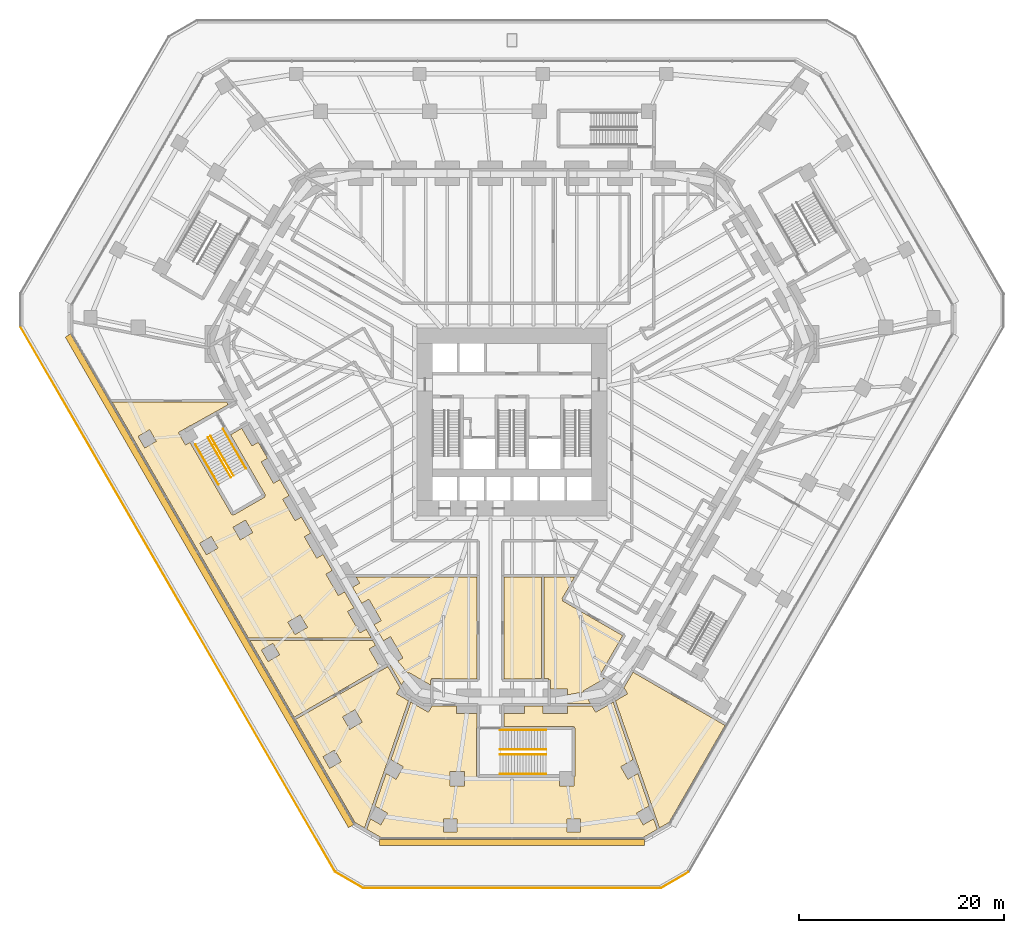
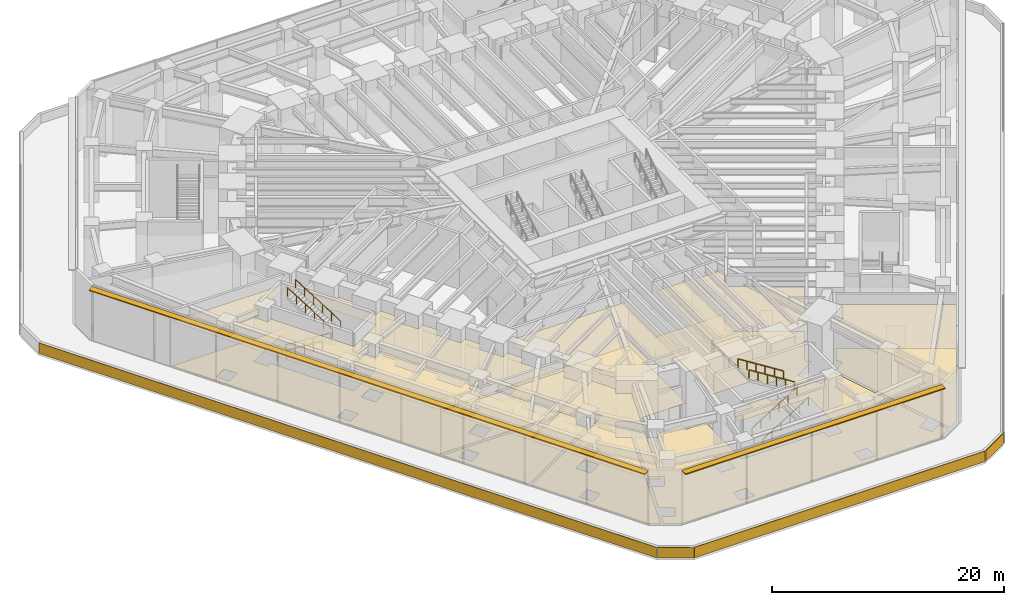
# One storey, part 22 of 25: 19 coverings, 8 railings, 2 shading devices.
"""IFC4 building model written with IfcOpenShell, lengths in metres."""

import ifcopenshell
import ifcopenshell.guid

model = None  # the IFC model being written
_history = None  # IfcOwnerHistory: only IFC2X3 demands one
_inside = {}  # id of a spatial element -> (the spatial element, [elements in it])
_under = {}  # id of a project, library or spatial element -> (it, [spatial elements below it])
_declared = {}  # id of a project -> (the project, [libraries it declares])
_typed = {}  # id of a type object -> (the type object, [elements of that type])
_made_of = {}  # id of a material, layer set ... -> (it, [elements and type objects made of it])


def new_model(schema):
    """Start an empty IFC model of exactly this schema.

    Asked for "IFC4X3", IfcOpenShell would pick the latest addendum, in which some entities
    have other attributes; the version numbers below select the first issue.
    IFC2X3 requires an IfcOwnerHistory on every rooted entity: one is made here for all.
    """
    global model, _history
    if schema == "IFC4X3":
        model = ifcopenshell.file(schema_version=(4, 3, 0, 0))
    else:
        model = ifcopenshell.file(schema=schema)
    _inside.clear()
    _under.clear()
    _declared.clear()
    _typed.clear()
    _made_of.clear()
    _history = None
    if model.schema == "IFC2X3":
        org = make("IfcOrganization", Name="unknown")
        user = make(
            "IfcPersonAndOrganization",
            ThePerson=make("IfcPerson", FamilyName="unknown"),
            TheOrganization=org,
        )
        app = make(
            "IfcApplication",
            ApplicationDeveloper=org,
            Version="unknown",
            ApplicationFullName="unknown",
            ApplicationIdentifier="unknown",
        )
        _history = make(
            "IfcOwnerHistory",
            OwningUser=user,
            OwningApplication=app,
            ChangeAction="ADDED",
            CreationDate=0,
        )
    return model


def make(cls, **values):
    """One entity of the class cls with the attributes given. An attribute that is None is left unset."""
    return model.create_entity(
        cls, **{name: value for name, value in values.items() if value is not None}
    )


def rooted(cls, **values):
    """An entity with a GlobalId (a new one), such as an element, a storey or a relation."""
    return make(cls, GlobalId=ifcopenshell.guid.new(), OwnerHistory=_history, **values)


def si_unit(unit_type, name, prefix=None):
    """IfcSIUnit, for example si_unit("LENGTHUNIT", "METRE", prefix="MILLI")."""
    return make("IfcSIUnit", UnitType=unit_type, Prefix=prefix, Name=name)


def assignment(units):
    """IfcUnitAssignment: the units of a project."""
    return None if units is None else make("IfcUnitAssignment", Units=units)


def point(xyz):
    """IfcCartesianPoint."""
    return None if xyz is None else make("IfcCartesianPoint", Coordinates=xyz)


def direction(xyz):
    """IfcDirection."""
    return None if xyz is None else make("IfcDirection", DirectionRatios=xyz)


def frame(location, z_axis=None, x_axis=None):
    """IfcAxis2Placement3D, a coordinate frame: its origin and axes. An axis left out is left unset."""
    return make(
        "IfcAxis2Placement3D",
        Location=point(location),
        Axis=direction(z_axis),
        RefDirection=direction(x_axis),
    )


def frame_2d(location, x_axis=None):
    """IfcAxis2Placement2D, a coordinate frame in the plane: its origin and x axis."""
    return make(
        "IfcAxis2Placement2D", Location=point(location), RefDirection=direction(x_axis)
    )


def origin():
    """The frame at (0, 0, 0) with its axes left unset."""
    return frame((0.0, 0.0, 0.0))


def origin_2d():
    """The frame at (0, 0) in the plane with its x axis left unset."""
    return frame_2d((0.0, 0.0))


def place(relative_to, where):
    """IfcLocalPlacement: puts the frame where relative to a parent placement (None: the world)."""
    return make(
        "IfcLocalPlacement", PlacementRelTo=relative_to, RelativePlacement=where
    )


def context(
    kind, dimensions, precision=None, world=None, true_north=None, identifier=None
):
    """IfcGeometricRepresentationContext, for example the 3D "Model" context."""
    return make(
        "IfcGeometricRepresentationContext",
        ContextIdentifier=identifier,
        ContextType=kind,
        CoordinateSpaceDimension=dimensions,
        Precision=precision,
        WorldCoordinateSystem=world,
        TrueNorth=true_north,
    )


def subcontext(parent, identifier, kind, view, scale=None):
    """IfcGeometricRepresentationSubContext, for example "Body" below "Model"."""
    return make(
        "IfcGeometricRepresentationSubContext",
        ContextIdentifier=identifier,
        ContextType=kind,
        ParentContext=parent,
        TargetScale=scale,
        TargetView=view,
    )


def project(units=None, contexts=None):
    """IfcProject with its units and contexts."""
    return rooted(
        "IfcProject",
        Name="project",
        RepresentationContexts=contexts,
        UnitsInContext=assignment(units),
    )


def spatial(cls, under=None, at=None, **own):
    """A site, building, storey or space (cls), placed at a placement, below another one or the project."""
    s = rooted(cls, ObjectPlacement=at, **own)
    if under is not None:
        _under.setdefault(under.id(), (under, []))[1].append(s)
    return s


def polyline(points):
    """IfcPolyline through the points."""
    return make("IfcPolyline", Points=[point(p) for p in points])


def profile(cls, at=None, kind="AREA", **sizes):
    """A parametric profile (cls). Its sizes go by their IFC names, for example OverallWidth=200.0."""
    return make(cls, ProfileType=kind, Position=at, **sizes)


def rectangle(**sizes):
    """IfcRectangleProfileDef."""
    return profile("IfcRectangleProfileDef", **sizes)


def circle(**sizes):
    """IfcCircleProfileDef."""
    return profile("IfcCircleProfileDef", **sizes)


def outline(outer, holes=None, kind="AREA"):
    """IfcArbitraryClosedProfileDef: a profile drawn as a closed curve; with holes, ...WithVoids."""
    if holes is None:
        return make("IfcArbitraryClosedProfileDef", ProfileType=kind, OuterCurve=outer)
    return make(
        "IfcArbitraryProfileDefWithVoids",
        ProfileType=kind,
        OuterCurve=outer,
        InnerCurves=holes,
    )


def extrude(swept, where, along, depth):
    """IfcExtrudedAreaSolid: the profile swept, set in the frame where, extruded along a direction by depth."""
    return make(
        "IfcExtrudedAreaSolid",
        SweptArea=swept,
        Position=where,
        ExtrudedDirection=direction(along),
        Depth=depth,
    )


def shape(context_of_items, identifier, shape_type, items):
    """IfcShapeRepresentation: the items that make up one representation, for example the "Body"."""
    return make(
        "IfcShapeRepresentation",
        ContextOfItems=context_of_items,
        RepresentationIdentifier=identifier,
        RepresentationType=shape_type,
        Items=items,
    )


def material(Name=None, Category=None):
    """IfcMaterial."""
    return make("IfcMaterial", Name=Name, Category=Category)


def layer(
    of_material, thickness, ventilated=None, Name=None, Category=None, Priority=None
):
    """IfcMaterialLayer: one layer of a wall or slab, of a material (None: an air gap)."""
    return make(
        "IfcMaterialLayer",
        Material=of_material,
        LayerThickness=thickness,
        IsVentilated=ventilated,
        Name=Name,
        Category=Category,
        Priority=Priority,
    )


def layer_set(layers, Name=None):
    """IfcMaterialLayerSet."""
    return make("IfcMaterialLayerSet", MaterialLayers=layers, LayerSetName=Name)


def made_of(thing, what):
    """Note that an element or type object is made of a material, layer set ...; save() writes the relation."""
    if what is not None:
        _made_of.setdefault(what.id(), (what, []))[1].append(thing)
    return thing


def type_object(cls, material=None, **own):
    """A type object (cls), such as IfcWallType, which elements share."""
    return made_of(rooted(cls, **own), material)


def element(
    cls,
    number,
    at=None,
    inside=None,
    cuts=None,
    type_object=None,
    material=None,
    context=None,
    identifier="Body",
    shape_type=None,
    held_by="IfcProductDefinitionShape",
    body=None,
    shapes=None,
    **own,
):
    """One element of the class cls, such as IfcWall. Its Tag is "e" and its number.

    at: its placement. inside: the storey or other place that contains it. cuts: it is an
    opening in that element (IfcRelVoidsElement). A single representation is given by context,
    identifier, shape_type and body (its items); several are given by shapes. held_by: the class
    of the entity that holds the representations. save() writes the other relations.
    """
    e = rooted(cls, Tag="e%d" % number, ObjectPlacement=at, **own)
    if body is not None:
        shapes = [shape(context, identifier, shape_type, body)]
    if shapes is not None:
        e.Representation = make(held_by, Representations=shapes)
    if inside is not None:
        _inside.setdefault(inside.id(), (inside, []))[1].append(e)
    if cuts is not None:
        rooted(
            "IfcRelVoidsElement", RelatingBuildingElement=cuts, RelatedOpeningElement=e
        )
    if type_object is not None:
        _typed.setdefault(type_object.id(), (type_object, []))[1].append(e)
    return made_of(e, material)


def aggregate(whole, parts):
    """IfcRelAggregates: a whole, such as a stair, and the parts it consists of."""
    return rooted("IfcRelAggregates", RelatingObject=whole, RelatedObjects=parts)


def save(model, path):
    """Write the relations noted so far, then the file.

    IfcRelAggregates (storeys below a building ...), IfcRelContainedInSpatialStructure (elements
    in a storey), IfcRelDefinesByType, IfcRelAssociatesMaterial and IfcRelDeclares: one each for
    every whole, place, type object, material and project.
    """
    for whole, parts in _under.values():
        aggregate(whole, parts)
    for where, things in _inside.values():
        rooted(
            "IfcRelContainedInSpatialStructure",
            RelatedElements=things,
            RelatingStructure=where,
        )
    for kind, things in _typed.values():
        rooted("IfcRelDefinesByType", RelatedObjects=things, RelatingType=kind)
    for what, things in _made_of.values():
        rooted("IfcRelAssociatesMaterial", RelatedObjects=things, RelatingMaterial=what)
    for by, libraries in _declared.values():
        rooted("IfcRelDeclares", RelatingContext=by, RelatedDefinitions=libraries)
    model.write(path)


model = new_model("IFC4")

# Units and contexts
model_context = context("Model", 3, precision=1e-05, world=origin(), true_north=direction((0.0, 1.0)))
body_context = subcontext(model_context, "Body", "Model", "MODEL_VIEW")
ifc_project = project(units=[si_unit("LENGTHUNIT", "METRE"), si_unit("AREAUNIT", "SQUARE_METRE"), si_unit("VOLUMEUNIT", "CUBIC_METRE"), si_unit("PLANEANGLEUNIT", "RADIAN"), si_unit("MASSUNIT", "GRAM", prefix="KILO")], contexts=[model_context])

# Site, building, storey
site_placement = place(None, origin())
site = spatial("IfcSite", under=ifc_project, at=site_placement, CompositionType="ELEMENT")
building_placement = place(site_placement, origin())
building = spatial("IfcBuilding", under=site, at=building_placement, Name="Sandreach Pilgrim Tower", CompositionType="ELEMENT")
storey_placement = place(building_placement, frame((0.0, 0.0, 6.0)))
storey = spatial("IfcBuildingStorey", under=building, at=storey_placement, Name="L01", CompositionType="ELEMENT", Elevation=6.0)

# Coverings
ifc_material_1 = material(Name="Nylon carpet tile on the slab", Category="textile")
ifc_layer_1 = layer(ifc_material_1, 0.008056640625)
ifc_layer_set_1 = layer_set([ifc_layer_1], Name="Carpet tile")
covering_type_1 = type_object("IfcCoveringType", Name="Carpet tile", PredefinedType="FLOORING", material=ifc_layer_set_1)
covering_1_placement = place(storey_placement, origin())
element("IfcCovering", 1, at=covering_1_placement, inside=storey, type_object=covering_type_1, Name="Floor finish 0105 Pilgrim guidance office", PredefinedType="FLOORING", context=body_context, shape_type="SweptSolid", body=[
    extrude(outline(polyline([(-27.666259765625, 0.141845703125), (-31.301025390625, -1.88671875), (-31.311279296875, -1.869140625), (-32.523681640625, -2.569091796875), (-31.82373046875, -3.781494140625), (-31.388671875, -3.530517578125), (-27.335205078125, -10.551513671875), (-27.29248046875, -10.52685546875), (-27.241943359375, -10.613037109375), (-27.1552734375, -10.56298828125), (-27.13037109375, -10.6064453125), (-24.09912109375, -8.8564453125), (-24.124267578125, -8.81298828125), (-24.03759765625, -8.76318359375), (-24.0869140625, -8.676025390625), (-24.044189453125, -8.6513671875), (-27.432861328125, -2.782470703125), (-26.340576171875, -2.154296875), (-25.3505859375, -3.868896484375), (-24.736083984375, -3.51416015625), (-23.8310546875, -5.081298828125), (-24.445556640625, -5.436279296875), (-23.24560546875, -7.5146484375), (-22.630615234375, -7.15966796875), (-21.725341796875, -8.726806640625), (-22.3408203125, -9.082275390625), (-21.140625, -11.16064453125), (-20.525146484375, -10.80517578125), (-19.619873046875, -12.37255859375), (-20.23583984375, -12.72802734375), (-19.03564453125, -14.806640625), (-18.41943359375, -14.45068359375), (-17.51416015625, -16.01806640625), (-18.130859375, -16.3740234375), (-16.930908203125, -18.452392578125), (-16.313232421875, -18.095947265625), (-15.407470703125, -19.662841796875), (-16.02587890625, -20.019775390625), (-14.825927734375, -22.098388671875), (-14.206298828125, -21.74072265625), (-13.706787109375, -22.60498046875), (-25.68701171875, -22.60498046875), (-38.966064453125, 0.39501953125), (-27.812255859375, 0.39501953125), (-27.666259765625, 0.141845703125)]), holes=[polyline([(-19.941650390625, -21.561767578125), (-20.6416015625, -20.349365234375), (-21.854248046875, -21.04931640625), (-21.154052734375, -22.26171875), (-19.941650390625, -21.561767578125)]), polyline([(-26.489013671875, -13.021728515625), (-25.2763671875, -12.321533203125), (-25.9765625, -11.109130859375), (-27.18896484375, -11.809326171875), (-26.489013671875, -13.021728515625)]), polyline([(-29.789306640625, -14.479736328125), (-28.66357421875, -13.829833984375), (-29.3134765625, -12.703857421875), (-30.439453125, -13.35400390625), (-29.789306640625, -14.479736328125)]), polyline([(-36.448974609375, -2.94482421875), (-35.799072265625, -4.07080078125), (-34.673095703125, -3.420654296875), (-35.3232421875, -2.294921875), (-36.448974609375, -2.94482421875)])]), origin(), (0.0, 0.0, 1.0), 0.008056640625),
])
covering_2_placement = place(storey_placement, origin())
element("IfcCovering", 2, at=covering_2_placement, inside=storey, type_object=covering_type_1, Name="Floor finish 01N1 Group leaders' office", PredefinedType="FLOORING", context=body_context, shape_type="SweptSolid", body=[
    extrude(outline(polyline([(-21.10791015625, -30.53662109375), (-12.099365234375, -25.385498046875), (-10.916259765625, -27.431884765625), (-11.26513671875, -28.0361328125), (-10.085205078125, -28.717529296875), (-12.449462890625, -35.552001953125), (-12.514404296875, -35.664306640625), (-12.49267578125, -35.6767578125), (-14.37451171875, -41.116455078125), (-15.311767578125, -40.575439453125), (-21.10791015625, -30.53662109375)]), holes=[polyline([(-15.8193359375, -31.501708984375), (-14.60693359375, -30.8017578125), (-15.306884765625, -29.58935546875), (-16.519287109375, -30.289306640625), (-15.8193359375, -31.501708984375)]), polyline([(-18.419921875, -34.172119140625), (-17.77001953125, -35.2978515625), (-16.64404296875, -34.64794921875), (-17.294189453125, -33.52197265625), (-18.419921875, -34.172119140625)])]), origin(), (0.0, 0.0, 1.0), 0.008056640625),
])
covering_3_placement = place(storey_placement, origin())
element("IfcCovering", 3, at=covering_3_placement, inside=storey, type_object=covering_type_1, Name="Floor finish 01N2 Guidance meeting room", PredefinedType="FLOORING", context=body_context, shape_type="SweptSolid", body=[
    extrude(outline(polyline([(-13.562255859375, -22.85498046875), (-13.301513671875, -23.30810546875), (-13.9208984375, -23.665771484375), (-12.867431640625, -25.490234375), (-21.23291015625, -30.320068359375), (-25.542724609375, -22.85498046875), (-13.562255859375, -22.85498046875)]), holes=[polyline([(-23.77978515625, -24.888916015625), (-22.65380859375, -24.23876953125), (-23.3037109375, -23.113037109375), (-24.4296875, -23.762939453125), (-23.77978515625, -24.888916015625)])]), origin(), (0.0, 0.0, 1.0), 0.008056640625),
])
covering_4_placement = place(storey_placement, origin())
element("IfcCovering", 4, at=covering_4_placement, inside=storey, type_object=covering_type_1, Name="Floor finish 01N5 Registration staff room", PredefinedType="FLOORING", context=body_context, shape_type="SweptSolid", body=[
    extrude(outline(polyline([(20.771728515625, -31.11865234375), (15.311767578125, -40.575439453125), (14.37451171875, -41.116455078125), (12.49267578125, -35.6767578125), (12.514404296875, -35.664306640625), (12.449462890625, -35.552001953125), (10.085205078125, -28.717529296875), (11.26513671875, -28.0361328125), (10.9169921875, -27.433349609375), (11.795166015625, -25.930419921875), (20.771728515625, -31.11865234375)])), origin(), (0.0, 0.0, 1.0), 0.008056640625),
])
ifc_material_2 = material(Name="Epoxy resin floor on the slab", Category="plastic")
ifc_layer_2 = layer(ifc_material_2, 0.00390625)
ifc_layer_set_2 = layer_set([ifc_layer_2], Name="Epoxy resin floor")
covering_type_2 = type_object("IfcCoveringType", Name="Epoxy resin floor", PredefinedType="FLOORING", material=ifc_layer_set_2)
covering_5_placement = place(storey_placement, origin())
element("IfcCovering", 5, at=covering_5_placement, inside=storey, type_object=covering_type_2, Name="Floor finish 0104 Shoe and coat store", PredefinedType="FLOORING", context=body_context, shape_type="SweptSolid", body=[
    extrude(outline(polyline([(-11.302001953125, -36.3642578125), (-10.601806640625, -35.15185546875), (-11.80615234375, -34.45654296875), (-9.86474609375, -28.8447265625), (-8.1474609375, -29.836181640625), (-7.80029296875, -29.235107421875), (-5.42236328125, -29.235107421875), (-5.42236328125, -29.950927734375), (-3.43505859375, -29.950927734375), (-3.4296875, -31.36083984375), (-3.461181640625, -31.36083984375), (-3.461181640625, -36.060791015625), (-3.41162109375, -36.060791015625), (-3.4111328125, -36.160888671875), (-3.311279296875, -36.16162109375), (-3.311279296875, -36.2109375), (4.63525390625, -36.2109375), (4.63525390625, -37.028564453125), (6.03515625, -37.028564453125), (6.03515625, -36.160888671875), (6.138916015625, -36.060791015625), (6.138916015625, -31.36083984375), (6.08984375, -31.36083984375), (6.0888671875, -31.260986328125), (5.98876953125, -31.26025390625), (5.98876953125, -31.2109375), (-0.784912109375, -31.2109375), (-0.784912109375, -29.950927734375), (1.199951171875, -29.950927734375), (1.199951171875, -29.235107421875), (3.022216796875, -29.235107421875), (3.022216796875, -29.950927734375), (5.42236328125, -29.950927734375), (5.42236328125, -29.235107421875), (7.80029296875, -29.235107421875), (8.1474609375, -29.836181640625), (9.86474609375, -28.8447265625), (11.80615234375, -34.45654296875), (10.601806640625, -35.15185546875), (11.302001953125, -36.3642578125), (12.272216796875, -35.803955078125), (13.3671875, -38.968994140625), (12.141357421875, -39.6767578125), (12.791259765625, -40.802490234375), (13.800048828125, -40.22021484375), (14.154052734375, -41.243896484375), (12.783447265625, -42.03515625), (-12.783447265625, -42.03515625), (-14.154052734375, -41.243896484375), (-13.800048828125, -40.22021484375), (-12.791259765625, -40.802490234375), (-12.141357421875, -39.6767578125), (-13.3671875, -38.968994140625), (-12.272216796875, -35.803955078125), (-11.302001953125, -36.3642578125)]), holes=[polyline([(6.65283203125, -41.525146484375), (6.65283203125, -40.225341796875), (5.352783203125, -40.225341796875), (5.352783203125, -41.525146484375), (6.65283203125, -41.525146484375)]), polyline([(-4.63525390625, -37.028564453125), (-4.63525390625, -35.628662109375), (-6.03515625, -35.628662109375), (-6.03515625, -37.028564453125), (-4.63525390625, -37.028564453125)]), polyline([(-5.352783203125, -41.525146484375), (-5.352783203125, -40.225341796875), (-6.65283203125, -40.225341796875), (-6.65283203125, -41.525146484375), (-5.352783203125, -41.525146484375)])]), origin(), (0.0, 0.0, 1.0), 0.00390625),
])
ifc_material_3 = material(Name="Gypsum board suspended ceiling on a steel grid", Category="steel")
ifc_layer_3 = layer(ifc_material_3, 0.012939453125)
ifc_layer_set_3 = layer_set([ifc_layer_3], Name="Gypsum board suspended ceiling")
covering_type_3 = type_object("IfcCoveringType", Name="Gypsum board suspended ceiling", PredefinedType="CEILING", material=ifc_layer_set_3)
covering_6_placement = place(storey_placement, frame((0.0, 0.0, 4.64990234375)))
element("IfcCovering", 6, at=covering_6_placement, inside=storey, type_object=covering_type_3, Name="Ceiling 0105 Pilgrim guidance office", PredefinedType="CEILING", context=body_context, shape_type="SweptSolid", body=[
    extrude(outline(polyline([(-27.666259765625, 0.141845703125), (-31.301025390625, -1.88671875), (-31.311279296875, -1.869140625), (-32.523681640625, -2.569091796875), (-31.82373046875, -3.781494140625), (-31.388671875, -3.530517578125), (-27.335205078125, -10.551513671875), (-27.29248046875, -10.52685546875), (-27.241943359375, -10.613037109375), (-27.1552734375, -10.56298828125), (-27.13037109375, -10.6064453125), (-24.09912109375, -8.8564453125), (-24.124267578125, -8.81298828125), (-24.03759765625, -8.76318359375), (-24.0869140625, -8.676025390625), (-24.044189453125, -8.6513671875), (-27.432861328125, -2.782470703125), (-26.340576171875, -2.154296875), (-25.3505859375, -3.868896484375), (-24.736083984375, -3.51416015625), (-23.8310546875, -5.081298828125), (-24.445556640625, -5.436279296875), (-23.24560546875, -7.5146484375), (-22.630615234375, -7.15966796875), (-21.725341796875, -8.726806640625), (-22.3408203125, -9.082275390625), (-21.140625, -11.16064453125), (-20.525146484375, -10.80517578125), (-19.619873046875, -12.37255859375), (-20.23583984375, -12.72802734375), (-19.03564453125, -14.806640625), (-18.41943359375, -14.45068359375), (-17.51416015625, -16.01806640625), (-18.130859375, -16.3740234375), (-16.930908203125, -18.452392578125), (-16.313232421875, -18.095947265625), (-15.407470703125, -19.662841796875), (-16.02587890625, -20.019775390625), (-14.825927734375, -22.098388671875), (-14.206298828125, -21.74072265625), (-13.706787109375, -22.60498046875), (-25.68701171875, -22.60498046875), (-38.966064453125, 0.39501953125), (-27.812255859375, 0.39501953125), (-27.666259765625, 0.141845703125)]), holes=[polyline([(-19.941650390625, -21.561767578125), (-20.6416015625, -20.349365234375), (-21.854248046875, -21.04931640625), (-21.154052734375, -22.26171875), (-19.941650390625, -21.561767578125)]), polyline([(-27.18896484375, -11.809326171875), (-26.489013671875, -13.021728515625), (-25.2763671875, -12.321533203125), (-25.9765625, -11.109130859375), (-27.18896484375, -11.809326171875)]), polyline([(-29.789306640625, -14.479736328125), (-28.66357421875, -13.829833984375), (-29.3134765625, -12.703857421875), (-30.439453125, -13.35400390625), (-29.789306640625, -14.479736328125)]), polyline([(-36.448974609375, -2.94482421875), (-35.799072265625, -4.07080078125), (-34.673095703125, -3.420654296875), (-35.3232421875, -2.294921875), (-36.448974609375, -2.94482421875)])]), origin(), (0.0, 0.0, 1.0), 0.01318359375),
])
covering_7_placement = place(storey_placement, frame((0.0, 0.0, 4.64990234375)))
element("IfcCovering", 7, at=covering_7_placement, inside=storey, type_object=covering_type_3, Name="Ceiling 01N1 Group leaders' office", PredefinedType="CEILING", context=body_context, shape_type="SweptSolid", body=[
    extrude(outline(polyline([(-21.10791015625, -30.53662109375), (-12.099365234375, -25.385498046875), (-10.916259765625, -27.431884765625), (-11.26513671875, -28.0361328125), (-10.085205078125, -28.717529296875), (-12.449462890625, -35.552001953125), (-12.514404296875, -35.664306640625), (-12.49267578125, -35.6767578125), (-14.37451171875, -41.116455078125), (-15.311767578125, -40.575439453125), (-21.10791015625, -30.53662109375)]), holes=[polyline([(-15.8193359375, -31.501708984375), (-14.60693359375, -30.8017578125), (-15.306884765625, -29.58935546875), (-16.519287109375, -30.289306640625), (-15.8193359375, -31.501708984375)]), polyline([(-18.419921875, -34.172119140625), (-17.77001953125, -35.2978515625), (-16.64404296875, -34.64794921875), (-17.294189453125, -33.52197265625), (-18.419921875, -34.172119140625)])]), origin(), (0.0, 0.0, 1.0), 0.01318359375),
])
covering_8_placement = place(storey_placement, frame((0.0, 0.0, 4.64990234375)))
element("IfcCovering", 8, at=covering_8_placement, inside=storey, type_object=covering_type_3, Name="Ceiling 01N2 Guidance meeting room", PredefinedType="CEILING", context=body_context, shape_type="SweptSolid", body=[
    extrude(outline(polyline([(-13.562255859375, -22.85498046875), (-13.301513671875, -23.30810546875), (-13.9208984375, -23.665771484375), (-12.867431640625, -25.490234375), (-21.23291015625, -30.320068359375), (-25.542724609375, -22.85498046875), (-13.562255859375, -22.85498046875)]), holes=[polyline([(-23.77978515625, -24.888916015625), (-22.65380859375, -24.23876953125), (-23.3037109375, -23.113037109375), (-24.4296875, -23.762939453125), (-23.77978515625, -24.888916015625)])]), origin(), (0.0, 0.0, 1.0), 0.01318359375),
])
covering_9_placement = place(storey_placement, frame((0.0, 0.0, 4.64990234375)))
element("IfcCovering", 9, at=covering_9_placement, inside=storey, type_object=covering_type_3, Name="Ceiling 01N5 Registration staff room", PredefinedType="CEILING", context=body_context, shape_type="SweptSolid", body=[
    extrude(outline(polyline([(11.26513671875, -28.0361328125), (10.9169921875, -27.433349609375), (11.795166015625, -25.930419921875), (20.771728515625, -31.11865234375), (15.311767578125, -40.575439453125), (14.37451171875, -41.116455078125), (12.49267578125, -35.6767578125), (12.514404296875, -35.664306640625), (12.449462890625, -35.552001953125), (10.085205078125, -28.717529296875), (11.26513671875, -28.0361328125)])), origin(), (0.0, 0.0, 1.0), 0.01318359375),
])
ifc_material_4 = material(Name="Moisture-resistant gypsum board suspended ceiling on a steel grid", Category="steel")
ifc_layer_4 = layer(ifc_material_4, 0.01611328125)
ifc_layer_set_4 = layer_set([ifc_layer_4], Name="Moisture-resistant gypsum board ceiling")
covering_type_4 = type_object("IfcCoveringType", Name="Moisture-resistant gypsum board ceiling", PredefinedType="CEILING", material=ifc_layer_set_4)
covering_10_placement = place(storey_placement, frame((0.0, 0.0, 4.699951171875)))
element("IfcCovering", 10, at=covering_10_placement, inside=storey, type_object=covering_type_4, Name="Ceiling 01T1 Women's toilets 01", PredefinedType="CEILING", context=body_context, shape_type="SweptSolid", body=[
    extrude(outline(polyline([(-10.642333984375, -24.544189453125), (-11.842529296875, -22.4658203125), (-12.53515625, -22.86572265625), (-13.440185546875, -21.29833984375), (-12.747314453125, -20.8984375), (-13.947265625, -18.81982421875), (-14.64013671875, -19.219970703125), (-15.545166015625, -17.65234375), (-14.852294921875, -17.25244140625), (-15.203125, -16.64501953125), (-3.43505859375, -16.64501953125), (-3.43505859375, -26.58447265625), (-7.829345703125, -26.56494140625), (-7.831298828125, -26.7099609375), (-7.955078125, -26.7099609375), (-7.955078125, -27.176025390625), (-10.065185546875, -25.957763671875), (-10.12353515625, -26.05908203125), (-11.147705078125, -24.8359375), (-10.642333984375, -24.544189453125)])), origin(), (0.0, 0.0, 1.0), 0.01611328125),
])
covering_11_placement = place(storey_placement, frame((0.0, 0.0, 4.800048828125)))
element("IfcCovering", 11, at=covering_11_placement, inside=storey, type_object=covering_type_4, Name="Ceiling 01T2 Accessible toilets 01", PredefinedType="CEILING", context=body_context, shape_type="SweptSolid", body=[
    extrude(outline(polyline([(2.875, -26.565673828125), (-0.784912109375, -26.58447265625), (-0.784912109375, -16.64501953125), (2.875, -16.64501953125), (2.875, -26.565673828125)])), origin(), (0.0, 0.0, 1.0), 0.015869140625),
])
covering_12_placement = place(storey_placement, frame((0.0, 0.0, 4.699951171875)))
element("IfcCovering", 12, at=covering_12_placement, inside=storey, type_object=covering_type_4, Name="Ceiling 01T3 Men's toilets 01", PredefinedType="CEILING", context=body_context, shape_type="SweptSolid", body=[
    extrude(outline(polyline([(3.125, -26.56494140625), (3.125, -16.64501953125), (6.11279296875, -16.64501953125), (4.86181640625, -18.797119140625), (4.969970703125, -18.860107421875), (4.907470703125, -18.96826171875), (10.78759765625, -22.3662109375), (8.601806640625, -26.157470703125), (8.690673828125, -26.208740234375), (8.62744140625, -26.318115234375), (9.033447265625, -26.55322265625), (6.947509765625, -27.7578125), (7.00537109375, -27.858154296875), (5.42236328125, -28.135009765625), (5.42236328125, -27.55078125), (3.735107421875, -27.55078125), (3.735107421875, -26.7099609375), (3.570068359375, -26.69091796875), (3.570068359375, -26.56494140625), (3.125, -26.56494140625)])), origin(), (0.0, 0.0, 1.0), 0.01611328125),
])

# Shading devices
ifc_material_5 = material(Name="Extruded aluminium sunshade blade, powder coated", Category="aluminium")
ifc_layer_5 = layer(ifc_material_5, 0.10009765625)
ifc_layer_set_5 = layer_set([ifc_layer_5], Name="Podium sunshade 600")
shading_device_type = type_object("IfcShadingDeviceType", Name="Podium sunshade 600", PredefinedType="AWNING", material=ifc_layer_set_5)
shading_device_1_placement = place(storey_placement, frame((0.0, -42.53515625, 5.64990234375), z_axis=(0.0, 0.0, 1.0), x_axis=(-1.0, 0.0, 0.0)))
element("IfcShadingDevice", 13, at=shading_device_1_placement, inside=storey, type_object=shading_device_type, Name="Sunshade L01 S over S", PredefinedType="AWNING", context=body_context, shape_type="SweptSolid", body=[
    extrude(rectangle(XDim=25.8203125, YDim=0.60009765625, at=origin_2d()), origin(), (0.0, 0.0, 1.0), 0.10009765625),
])
shading_device_2_placement = place(storey_placement, frame((-29.486572265625, -17.024169921875, 5.64990234375), z_axis=(0.0, 0.0, 1.0), x_axis=(-0.500000000015, 0.866025403776, 0.0)))
element("IfcShadingDevice", 14, at=shading_device_2_placement, inside=storey, type_object=shading_device_type, Name="Sunshade L01 SW over SW", PredefinedType="AWNING", context=body_context, shape_type="SweptSolid", body=[
    extrude(rectangle(XDim=55.220458984375, YDim=0.60009765625, at=origin_2d()), origin(), (0.0, 0.0, 1.0), 0.10009765625),
])

# Coverings
ifc_material_6 = material(Name="Porcelain tile on an adhesive bed", Category="ceramic")
ifc_layer_6 = layer(ifc_material_6, 0.011962890625)
ifc_layer_set_6 = layer_set([ifc_layer_6], Name="Porcelain tile")
covering_type_5 = type_object("IfcCoveringType", Name="Porcelain tile", PredefinedType="FLOORING", material=ifc_layer_set_6)
covering_13_placement = place(storey_placement, origin())
element("IfcCovering", 15, at=covering_13_placement, inside=storey, type_object=covering_type_5, Name="Floor finish 01T1 Women's toilets 01", PredefinedType="FLOORING", context=body_context, shape_type="SweptSolid", body=[
    extrude(outline(polyline([(-13.0849609375, -23.18310546875), (-13.989990234375, -21.61572265625), (-12.747314453125, -20.8984375), (-13.947265625, -18.81982421875), (-15.19091796875, -19.537841796875), (-16.096923828125, -17.970947265625), (-14.852294921875, -17.25244140625), (-15.203125, -16.64501953125), (-3.43505859375, -16.64501953125), (-3.43505859375, -26.58447265625), (-7.829345703125, -26.56494140625), (-7.831298828125, -26.7099609375), (-7.955078125, -26.7099609375), (-7.955078125, -27.176025390625), (-10.065185546875, -25.957763671875), (-10.77197265625, -27.18212890625), (-11.8828125, -25.260498046875), (-10.642333984375, -24.544189453125), (-11.842529296875, -22.4658203125), (-13.0849609375, -23.18310546875)])), origin(), (0.0, 0.0, 1.0), 0.011962890625),
])
covering_14_placement = place(storey_placement, origin())
element("IfcCovering", 16, at=covering_14_placement, inside=storey, type_object=covering_type_5, Name="Floor finish 01T2 Accessible toilets 01", PredefinedType="FLOORING", context=body_context, shape_type="SweptSolid", body=[
    extrude(outline(polyline([(2.875, -26.565673828125), (-0.784912109375, -26.58447265625), (-0.784912109375, -16.64501953125), (2.875, -16.64501953125), (2.875, -26.565673828125)])), origin(), (0.0, 0.0, 1.0), 0.011962890625),
])
covering_15_placement = place(storey_placement, origin())
element("IfcCovering", 17, at=covering_15_placement, inside=storey, type_object=covering_type_5, Name="Floor finish 01T3 Men's toilets 01", PredefinedType="FLOORING", context=body_context, shape_type="SweptSolid", body=[
    extrude(outline(polyline([(3.125, -26.56494140625), (3.125, -16.64501953125), (6.11279296875, -16.64501953125), (4.86181640625, -18.797119140625), (4.969970703125, -18.860107421875), (4.907470703125, -18.96826171875), (10.78759765625, -22.3662109375), (8.601806640625, -26.157470703125), (8.690673828125, -26.208740234375), (8.62744140625, -26.318115234375), (9.033447265625, -26.55322265625), (6.947509765625, -27.7578125), (7.656005859375, -28.985107421875), (5.42236328125, -28.985107421875), (5.42236328125, -27.55078125), (3.735107421875, -27.55078125), (3.735107421875, -26.7099609375), (3.570068359375, -26.69091796875), (3.570068359375, -26.56494140625), (3.125, -26.56494140625)])), origin(), (0.0, 0.0, 1.0), 0.011962890625),
])

# Railings
ifc_material_7 = material(Name="Stainless steel tube", Category="steel")
railing_type = type_object("IfcRailingType", Name="Stair handrail", PredefinedType="HANDRAIL", material=ifc_material_7)
for number, where, name in (
    (18, (-1.1611328125, -33.9609375, 0.176513671875), "Handrail ST5 L01 flight 1"),
    (19, (-1.1611328125, -35.86083984375, 0.176513671875), "Handrail ST5 L01 flight 1"),
):
    element("IfcRailing", number, at=place(storey_placement, frame(where)), inside=storey, type_object=railing_type, Name=name, PredefinedType="HANDRAIL", context=body_context, shape_type="SweptSolid", body=[
        extrude(circle(Radius=0.02392578125, at=origin_2d()), frame((0.0, 0.0, 0.8759765625), z_axis=(0.845997938375, 0.0, 0.533186166611), x_axis=(0.0, 1.0, 0.0)), (0.0, 0.0, 1.0), 5.29541015625),
        extrude(circle(Radius=0.02099609375, at=origin_2d()), origin(), (0.0, 0.0, 1.0), 0.851806640625),
        extrude(circle(Radius=0.02099609375, at=origin_2d()), frame((0.89599609375, 0.0, 0.564697265625)), (0.0, 0.0, 1.0), 0.851806640625),
        extrude(circle(Radius=0.02099609375, at=origin_2d()), frame((1.7919921875, 0.0, 1.12939453125)), (0.0, 0.0, 1.0), 0.851806640625),
        extrude(circle(Radius=0.02099609375, at=origin_2d()), frame((2.68798828125, 0.0, 1.694091796875)), (0.0, 0.0, 1.0), 0.851806640625),
        extrude(circle(Radius=0.02099609375, at=origin_2d()), frame((3.583984375, 0.0, 2.2587890625)), (0.0, 0.0, 1.0), 0.851806640625),
        extrude(circle(Radius=0.02099609375, at=origin_2d()), frame((4.47998046875, 0.0, 2.823486328125)), (0.0, 0.0, 1.0), 0.851806640625),
    ])
for number, where, name in (
    (20, (3.31884765625, -33.4609375, 3.176513671875), "Handrail ST5 L01 flight 2"),
    (21, (3.31884765625, -31.560791015625, 3.176513671875), "Handrail ST5 L01 flight 2"),
):
    element("IfcRailing", number, at=place(storey_placement, frame(where)), inside=storey, type_object=railing_type, Name=name, PredefinedType="HANDRAIL", context=body_context, shape_type="SweptSolid", body=[
        extrude(circle(Radius=0.02392578125, at=origin_2d()), frame((0.0, 0.0, 0.8759765625), z_axis=(-0.845997938375, 0.0, 0.533186166611), x_axis=(0.0, -1.0, 0.0)), (0.0, 0.0, 1.0), 5.29541015625),
        extrude(circle(Radius=0.02099609375, at=origin_2d()), origin(), (0.0, 0.0, 1.0), 0.851806640625),
        extrude(circle(Radius=0.02099609375, at=origin_2d()), frame((-0.89599609375, 0.0, 0.564697265625)), (0.0, 0.0, 1.0), 0.851806640625),
        extrude(circle(Radius=0.02099609375, at=origin_2d()), frame((-1.7919921875, 0.0, 1.12939453125)), (0.0, 0.0, 1.0), 0.851806640625),
        extrude(circle(Radius=0.02099609375, at=origin_2d()), frame((-2.68798828125, 0.0, 1.694091796875)), (0.0, 0.0, 1.0), 0.851806640625),
        extrude(circle(Radius=0.02099609375, at=origin_2d()), frame((-3.583984375, 0.0, 2.2587890625)), (0.0, 0.0, 1.0), 0.851806640625),
        extrude(circle(Radius=0.02099609375, at=origin_2d()), frame((-4.47998046875, 0.0, 2.823486328125)), (0.0, 0.0, 1.0), 0.851806640625),
    ])
railing_1_placement = place(storey_placement, frame((-29.64453125, -3.05126953125, 0.176513671875)))
element("IfcRailing", 22, at=railing_1_placement, inside=storey, type_object=railing_type, Name="Handrail ST9 L01 flight 1", PredefinedType="HANDRAIL", context=body_context, shape_type="SweptSolid", body=[
    extrude(circle(Radius=0.02392578125, at=origin_2d()), frame((0.0, 0.0, 0.8759765625), z_axis=(0.42299277051, -0.732664971003, 0.533178353237), x_axis=(0.866031314237, 0.499989762656, 0.0)), (0.0, 0.0, 1.0), 5.295654296875),
    extrude(circle(Radius=0.02099609375, at=origin_2d()), origin(), (0.0, 0.0, 1.0), 0.851806640625),
    extrude(circle(Radius=0.02099609375, at=origin_2d()), frame((0.447998046875, -0.77587890625, 0.564697265625)), (0.0, 0.0, 1.0), 0.851806640625),
    extrude(circle(Radius=0.02099609375, at=origin_2d()), frame((0.89599609375, -1.552001953125, 1.12939453125)), (0.0, 0.0, 1.0), 0.851806640625),
    extrude(circle(Radius=0.02099609375, at=origin_2d()), frame((1.343994140625, -2.327880859375, 1.694091796875)), (0.0, 0.0, 1.0), 0.851806640625),
    extrude(circle(Radius=0.02099609375, at=origin_2d()), frame((1.7919921875, -3.10400390625, 2.2587890625)), (0.0, 0.0, 1.0), 0.851806640625),
    extrude(circle(Radius=0.02099609375, at=origin_2d()), frame((2.239990234375, -3.8798828125, 2.823486328125)), (0.0, 0.0, 1.0), 0.851806640625),
])
railing_2_placement = place(storey_placement, frame((-30.857177734375, -3.75146484375, 0.176513671875)))
element("IfcRailing", 23, at=railing_2_placement, inside=storey, type_object=railing_type, Name="Handrail ST9 L01 flight 1", PredefinedType="HANDRAIL", context=body_context, shape_type="SweptSolid", body=[
    extrude(circle(Radius=0.02392578125, at=origin_2d()), frame((0.0, 0.0, 0.8759765625), z_axis=(0.423007058581, -0.732643615031, 0.533196363214), x_axis=(0.866017690131, 0.500013360201, 0.0)), (0.0, 0.0, 1.0), 5.29541015625),
    extrude(circle(Radius=0.02099609375, at=origin_2d()), origin(), (0.0, 0.0, 1.0), 0.851806640625),
    extrude(circle(Radius=0.02099609375, at=origin_2d()), frame((0.447998046875, -0.77587890625, 0.564697265625)), (0.0, 0.0, 1.0), 0.851806640625),
    extrude(circle(Radius=0.02099609375, at=origin_2d()), frame((0.89599609375, -1.5517578125, 1.12939453125)), (0.0, 0.0, 1.0), 0.851806640625),
    extrude(circle(Radius=0.02099609375, at=origin_2d()), frame((1.343994140625, -2.327880859375, 1.694091796875)), (0.0, 0.0, 1.0), 0.851806640625),
    extrude(circle(Radius=0.02099609375, at=origin_2d()), frame((1.7919921875, -3.103759765625, 2.2587890625)), (0.0, 0.0, 1.0), 0.851806640625),
    extrude(circle(Radius=0.02099609375, at=origin_2d()), frame((2.239990234375, -3.879638671875, 2.823486328125)), (0.0, 0.0, 1.0), 0.851806640625),
])
railing_3_placement = place(storey_placement, frame((-27.144775390625, -6.78125, 3.176513671875)))
element("IfcRailing", 24, at=railing_3_placement, inside=storey, type_object=railing_type, Name="Handrail ST9 L01 flight 2", PredefinedType="HANDRAIL", context=body_context, shape_type="SweptSolid", body=[
    extrude(circle(Radius=0.02392578125, at=origin_2d()), frame((0.0, 0.0, 0.8759765625), z_axis=(-0.42299277051, 0.732664971003, 0.533178353237), x_axis=(-0.866031314237, -0.499989762656, 0.0)), (0.0, 0.0, 1.0), 5.295654296875),
    extrude(circle(Radius=0.02099609375, at=origin_2d()), origin(), (0.0, 0.0, 1.0), 0.851806640625),
    extrude(circle(Radius=0.02099609375, at=origin_2d()), frame((-0.447998046875, 0.77587890625, 0.564697265625)), (0.0, 0.0, 1.0), 0.851806640625),
    extrude(circle(Radius=0.02099609375, at=origin_2d()), frame((-0.89599609375, 1.552001953125, 1.12939453125)), (0.0, 0.0, 1.0), 0.851806640625),
    extrude(circle(Radius=0.02099609375, at=origin_2d()), frame((-1.343994140625, 2.327880859375, 1.694091796875)), (0.0, 0.0, 1.0), 0.851806640625),
    extrude(circle(Radius=0.02099609375, at=origin_2d()), frame((-1.7919921875, 3.10400390625, 2.2587890625)), (0.0, 0.0, 1.0), 0.851806640625),
    extrude(circle(Radius=0.02099609375, at=origin_2d()), frame((-2.239990234375, 3.8798828125, 2.823486328125)), (0.0, 0.0, 1.0), 0.851806640625),
])
railing_4_placement = place(storey_placement, frame((-25.932373046875, -6.0810546875, 3.176513671875)))
element("IfcRailing", 25, at=railing_4_placement, inside=storey, type_object=railing_type, Name="Handrail ST9 L01 flight 2", PredefinedType="HANDRAIL", context=body_context, shape_type="SweptSolid", body=[
    extrude(circle(Radius=0.02392578125, at=origin_2d()), frame((0.0, 0.0, 0.8759765625), z_axis=(-0.423007058581, 0.732643615031, 0.533196363214), x_axis=(-0.866017690131, -0.500013360201, 0.0)), (0.0, 0.0, 1.0), 5.29541015625),
    extrude(circle(Radius=0.02099609375, at=origin_2d()), origin(), (0.0, 0.0, 1.0), 0.851806640625),
    extrude(circle(Radius=0.02099609375, at=origin_2d()), frame((-0.447998046875, 0.77587890625, 0.564697265625)), (0.0, 0.0, 1.0), 0.851806640625),
    extrude(circle(Radius=0.02099609375, at=origin_2d()), frame((-0.89599609375, 1.5517578125, 1.12939453125)), (0.0, 0.0, 1.0), 0.851806640625),
    extrude(circle(Radius=0.02099609375, at=origin_2d()), frame((-1.343994140625, 2.327880859375, 1.694091796875)), (0.0, 0.0, 1.0), 0.851806640625),
    extrude(circle(Radius=0.02099609375, at=origin_2d()), frame((-1.7919921875, 3.103759765625, 2.2587890625)), (0.0, 0.0, 1.0), 0.851806640625),
    extrude(circle(Radius=0.02099609375, at=origin_2d()), frame((-2.239990234375, 3.879638671875, 2.823486328125)), (0.0, 0.0, 1.0), 0.851806640625),
])

# Coverings
ifc_material_8 = material(Name="Terracotta rainscreen panels on aluminium rails", Category="masonry")
ifc_layer_7 = layer(ifc_material_8, 0.050048828125)
ifc_layer_set_7 = layer_set([ifc_layer_7], Name="Terracotta rainscreen cladding 50")
covering_type_6 = type_object("IfcCoveringType", Name="Terracotta rainscreen cladding 50", PredefinedType="CLADDING", material=ifc_layer_set_7)
covering_16_placement = place(storey_placement, frame((-47.911865234375, 7.7470703125, 0.0), z_axis=(0.0, 0.0, 1.0), x_axis=(0.499999154746, -0.866025891791, 0.0)))
element("IfcCovering", 26, at=covering_16_placement, inside=storey, type_object=covering_type_6, Name="Rainscreen cladding on setback parapet l01 4", PredefinedType="CLADDING", context=body_context, shape_type="SweptSolid", body=[
    extrude(rectangle(XDim=61.330078125, YDim=0.050048828125, at=frame_2d((30.6650390625, 0.0))), origin(), (0.0, 0.0, 1.0), 1.10009765625),
])
covering_17_placement = place(storey_placement, frame((-17.19189453125, -45.42138671875, 0.0), z_axis=(0.0, 0.0, 1.0), x_axis=(0.865709160662, -0.500547349554, 0.0)))
element("IfcCovering", 27, at=covering_17_placement, inside=storey, type_object=covering_type_6, Name="Rainscreen cladding on setback parapet l01 5", PredefinedType="CLADDING", context=body_context, shape_type="SweptSolid", body=[
    extrude(rectangle(XDim=3.0908203125, YDim=0.050048828125, at=frame_2d((1.54541015625, 0.0))), origin(), (0.0, 0.0, 1.0), 1.10009765625),
])
covering_18_placement = place(storey_placement, frame((-14.44091796875, -46.988525390625, 0.0), z_axis=(0.0, 0.0, 1.0), x_axis=(1.0, 0.0, 0.0)))
element("IfcCovering", 28, at=covering_18_placement, inside=storey, type_object=covering_type_6, Name="Rainscreen cladding on setback parapet l01 6", PredefinedType="CLADDING", context=body_context, shape_type="SweptSolid", body=[
    extrude(rectangle(XDim=28.8818359375, YDim=0.050048828125, at=frame_2d((14.44091796875, 0.0))), origin(), (0.0, 0.0, 1.0), 1.10009765625),
])
covering_19_placement = place(storey_placement, frame((14.51611328125, -46.968505859375, 0.0), z_axis=(0.0, 0.0, 1.0), x_axis=(0.865709160662, 0.500547349554, 0.0)))
element("IfcCovering", 29, at=covering_19_placement, inside=storey, type_object=covering_type_6, Name="Rainscreen cladding on setback parapet l01 7", PredefinedType="CLADDING", context=body_context, shape_type="SweptSolid", body=[
    extrude(rectangle(XDim=3.0908203125, YDim=0.050048828125, at=frame_2d((1.54541015625, 0.0))), origin(), (0.0, 0.0, 1.0), 1.10009765625),
])

save(model, "model.ifc")
